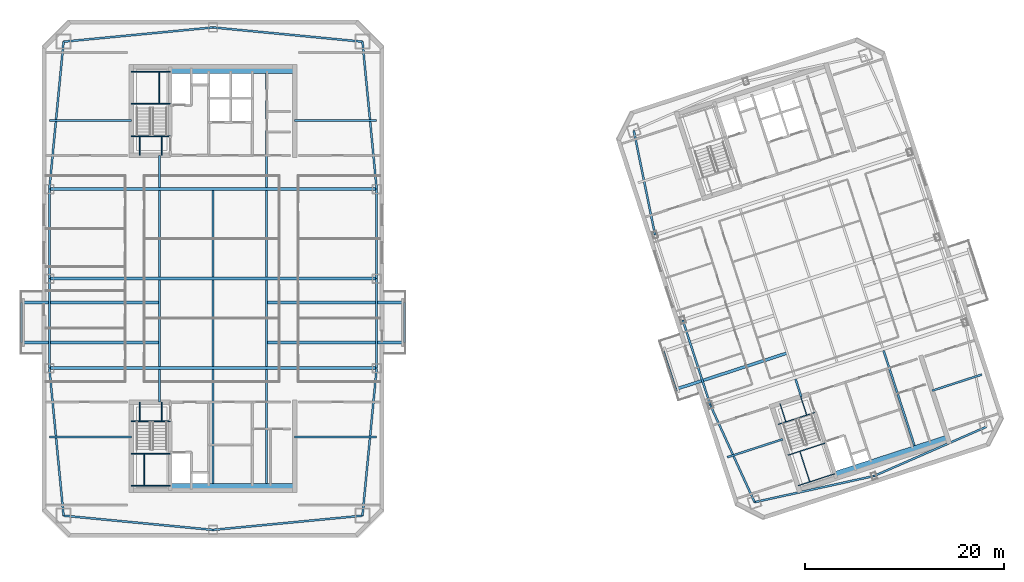
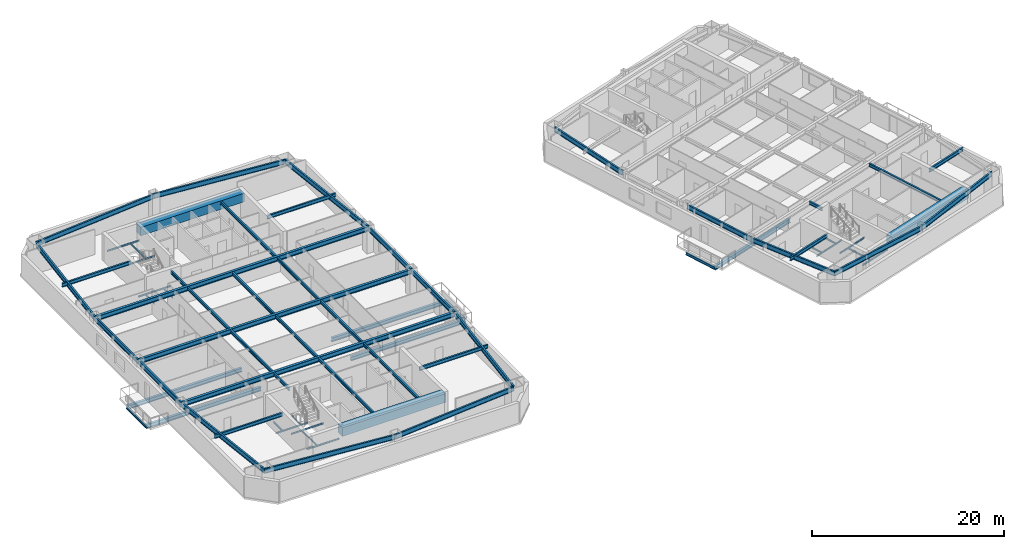
# One storey, part 3 of 15: 68 beams.
"""IFC4 building model written with IfcOpenShell, lengths in metres."""

from ifc_helpers import new_model, si_unit, direction, frame, origin, origin_2d, place, context, subcontext, project, spatial, rectangle, i_section, extrude, material, material_profile, profile_set, type_object, element, save


model = new_model("IFC4")

# Units and contexts
model_context = context("Model", 3, precision=1e-05, world=origin(), true_north=direction((0.0, 1.0)))
body_context = subcontext(model_context, "Body", "Model", "MODEL_VIEW")
ifc_project = project(units=[si_unit("LENGTHUNIT", "METRE"), si_unit("AREAUNIT", "SQUARE_METRE"), si_unit("VOLUMEUNIT", "CUBIC_METRE"), si_unit("PLANEANGLEUNIT", "RADIAN"), si_unit("MASSUNIT", "GRAM", prefix="KILO")], contexts=[model_context])

# Site, building, storey
site_placement = place(None, origin())
site = spatial("IfcSite", under=ifc_project, at=site_placement, CompositionType="ELEMENT")
building_placement = place(site_placement, origin())
building = spatial("IfcBuilding", under=site, at=building_placement, Name="Qiaolan Cultural Towers", CompositionType="ELEMENT")
storey_placement = place(building_placement, frame((0.0, 0.0, 209.300048828125)))
storey = spatial("IfcBuildingStorey", under=building, at=storey_placement, Name="L56", CompositionType="ELEMENT", Elevation=209.300048828125)

# Beams
ifc_material_1 = material(Name="Steel Q355B", Category="steel")
ifc_material_profile_1 = material_profile(ifc_material_1, i_section(OverallWidth=0.300048828125, OverallDepth=0.488037109375, WebThickness=0.010986328125, FlangeThickness=0.01806640625, at=origin_2d()), Name="HM488x300x11x18")
ifc_profile_set_1 = profile_set([ifc_material_profile_1], Name="Steel Q355B")
beam_type_1 = type_object("IfcBeamType", Name="BM-HM488x300x11x18", PredefinedType="BEAM", material=ifc_profile_set_1)
for number, where, z_axis, x_axis, name in (
    (1, (24.60009765625, 27.60009765625, -0.524169921875), (-1.0, 0.0, 0.0), (0.0, -1.0, 0.0), "L56 T1 Tree Balcony Back-Spanned Bracket Beam"),
    (2, (24.60009765625, 31.60009765625, -0.524169921875), (-1.0, 0.0, 0.0), (0.0, -1.0, 0.0), "L56 T1 Tree Balcony Back-Spanned Bracket Beam"),
    (3, (35.39990234375, 27.60009765625, -0.524169921875), (1.0, 0.0, 0.0), (0.0, 1.0, 0.0), "L56 T1 Tree Balcony Back-Spanned Bracket Beam"),
    (4, (35.39990234375, 31.60009765625, -0.524169921875), (1.0, 0.0, 0.0), (0.0, 1.0, 0.0), "L56 T1 Tree Balcony Back-Spanned Bracket Beam"),
):
    element("IfcBeam", number, at=place(storey_placement, frame(where, z_axis=z_axis, x_axis=x_axis)), inside=storey, type_object=beam_type_1, Name=name, PredefinedType="BEAM", context=body_context, shape_type="SweptSolid", body=[
        extrude(i_section(OverallWidth=0.300048828125, OverallDepth=0.488037109375, WebThickness=0.010986328125, FlangeThickness=0.01806640625, at=origin_2d()), origin(), (0.0, 0.0, 1.0), 13.85009765625),
    ])
beam_1_placement = place(storey_placement, frame((87.697998046875, 26.522705078125, -0.524169921875), z_axis=(-0.951053763838, -0.309025465439, 0.0), x_axis=(0.309025465439, -0.951053763838, 0.0)))
element("IfcBeam", 5, at=beam_1_placement, inside=storey, type_object=beam_type_1, Name="L56 T2 Tree Balcony Back-Spanned Bracket Beam", PredefinedType="BEAM", context=body_context, shape_type="SweptSolid", body=[
    extrude(i_section(OverallWidth=0.300048828125, OverallDepth=0.488037109375, WebThickness=0.010986328125, FlangeThickness=0.01806640625, at=origin_2d()), origin(), (0.0, 0.0, 1.0), 11.750244140625),
])
ifc_material_2 = material(Name="Steel Q355B", Category="steel")
ifc_material_profile_2 = material_profile(ifc_material_2, i_section(OverallWidth=0.300048828125, OverallDepth=0.587890625, WebThickness=0.011962890625, FlangeThickness=0.02001953125, at=origin_2d()), Name="HM588x300x12x20")
ifc_profile_set_2 = profile_set([ifc_material_profile_2], Name="Steel Q355B")
beam_type_2 = type_object("IfcBeamType", Name="BM-HM588x300x12x20", PredefinedType="BEAM", material=ifc_profile_set_2)
for number, where, z_axis, x_axis, name in (
    (6, (13.550048828125, 25.0, 2.89599609375), (1.0, 0.0, 0.0), (0.0, 1.0, 0.0), "L56 T1 Primary Transverse Girder V1"),
    (7, (13.550048828125, 34.0, 2.89599609375), (1.0, 0.0, 0.0), (0.0, 1.0, 0.0), "L56 T1 Primary Transverse Girder V2"),
    (8, (13.550048828125, 43.0, 2.89599609375), (1.0, 0.0, 0.0), (0.0, 1.0, 0.0), "L56 T1 Primary Transverse Girder V3"),
):
    element("IfcBeam", number, at=place(storey_placement, frame(where, z_axis=z_axis, x_axis=x_axis)), inside=storey, type_object=beam_type_2, Name=name, PredefinedType="BEAM", context=body_context, shape_type="SweptSolid", body=[
        extrude(i_section(OverallWidth=0.300048828125, OverallDepth=0.587890625, WebThickness=0.011962890625, FlangeThickness=0.02001953125, at=origin_2d()), origin(), (0.0, 0.0, 1.0), 32.89990234375),
    ])
ifc_material_3 = material(Name="Steel Q355B", Category="steel")
ifc_material_profile_3 = material_profile(ifc_material_3, i_section(OverallWidth=0.175048828125, OverallDepth=0.35009765625, WebThickness=0.007080078125, FlangeThickness=0.010986328125, at=origin_2d()), Name="HN350x175x7x11")
ifc_profile_set_3 = profile_set([ifc_material_profile_3], Name="Steel Q355B")
beam_type_3 = type_object("IfcBeamType", Name="BM-JST-HN350x175x7x11", PredefinedType="JOIST", material=ifc_profile_set_3)
for number, where, z_axis, x_axis, name in (
    (9, (10.75, 27.60009765625, -0.524169921875), (0.0, 1.0, 0.0), (-1.0, 0.0, 0.0), "L56 T1 Tree Balcony Outer Edge Beam"),
    (10, (49.25, 27.60009765625, -0.524169921875), (0.0, 1.0, 0.0), (-1.0, 0.0, 0.0), "L56 T1 Tree Balcony Outer Edge Beam"),
):
    element("IfcBeam", number, at=place(storey_placement, frame(where, z_axis=z_axis, x_axis=x_axis)), inside=storey, type_object=beam_type_3, Name=name, PredefinedType="JOIST", context=body_context, shape_type="SweptSolid", body=[
        extrude(i_section(OverallWidth=0.175048828125, OverallDepth=0.35009765625, WebThickness=0.007080078125, FlangeThickness=0.010986328125, at=origin_2d()), origin(), (0.0, 0.0, 1.0), 4.0),
    ])
beam_2_placement = place(storey_placement, frame((76.52294921875, 22.8916015625, -0.524169921875), z_axis=(-0.3090046493, 0.951060527364, 0.0), x_axis=(-0.951060527364, -0.3090046493, 0.0)))
element("IfcBeam", 11, at=beam_2_placement, inside=storey, type_object=beam_type_3, Name="L56 T2 Tree Balcony Outer Edge Beam", PredefinedType="JOIST", context=body_context, shape_type="SweptSolid", body=[
    extrude(i_section(OverallWidth=0.175048828125, OverallDepth=0.35009765625, WebThickness=0.007080078125, FlangeThickness=0.010986328125, at=origin_2d()), origin(), (0.0, 0.0, 1.0), 4.000244140625),
])
ifc_material_4 = material(Name="Steel Q355B", Category="steel")
ifc_material_profile_4 = material_profile(ifc_material_4, i_section(OverallWidth=0.199951171875, OverallDepth=0.39990234375, WebThickness=0.008056640625, FlangeThickness=0.012939453125, at=origin_2d()), Name="HN400x200x8x13")
ifc_profile_set_4 = profile_set([ifc_material_profile_4], Name="Steel Q355B")
beam_type_4 = type_object("IfcBeamType", Name="BM-JST-HN400x200x8x13", PredefinedType="JOIST", material=ifc_profile_set_4)
beam_3_placement = place(storey_placement, frame((24.60009765625, 21.60009765625, 2.989990234375), z_axis=(0.0, 1.0, 0.0), x_axis=(-1.0, 0.0, 0.0)))
element("IfcBeam", 12, at=beam_3_placement, inside=storey, type_object=beam_type_4, Name="L56 T1 Secondary Floor Joist U1-1", PredefinedType="JOIST", context=body_context, shape_type="SweptSolid", body=[
    extrude(i_section(OverallWidth=0.199951171875, OverallDepth=0.39990234375, WebThickness=0.008056640625, FlangeThickness=0.012939453125, at=origin_2d()), origin(), (0.0, 0.0, 1.0), 3.25),
])
for number, where, z_axis, x_axis, name in (
    (13, (24.60009765625, 25.14990234375, 2.989990234375), (0.0, 1.0, 0.0), (-1.0, 0.0, 0.0), "L56 T1 Secondary Floor Joist U1-2"),
    (14, (24.60009765625, 34.14990234375, 2.989990234375), (0.0, 1.0, 0.0), (-1.0, 0.0, 0.0), "L56 T1 Secondary Floor Joist U1-3"),
):
    element("IfcBeam", number, at=place(storey_placement, frame(where, z_axis=z_axis, x_axis=x_axis)), inside=storey, type_object=beam_type_4, Name=name, PredefinedType="JOIST", context=body_context, shape_type="SweptSolid", body=[
        extrude(i_section(OverallWidth=0.199951171875, OverallDepth=0.39990234375, WebThickness=0.008056640625, FlangeThickness=0.012939453125, at=origin_2d()), origin(), (0.0, 0.0, 1.0), 8.7001953125),
    ])
beam_4_placement = place(storey_placement, frame((24.60009765625, 43.14990234375, 2.989990234375), z_axis=(0.0, 1.0, 0.0), x_axis=(-1.0, 0.0, 0.0)))
element("IfcBeam", 15, at=beam_4_placement, inside=storey, type_object=beam_type_4, Name="L56 T1 Secondary Floor Joist U1-4", PredefinedType="JOIST", context=body_context, shape_type="SweptSolid", body=[
    extrude(i_section(OverallWidth=0.199951171875, OverallDepth=0.39990234375, WebThickness=0.008056640625, FlangeThickness=0.012939453125, at=origin_2d()), origin(), (0.0, 0.0, 1.0), 3.25),
])
beam_5_placement = place(storey_placement, frame((30.0, 13.39990234375, 2.989990234375), z_axis=(0.0, 1.0, 0.0), x_axis=(-1.0, 0.0, 0.0)))
element("IfcBeam", 16, at=beam_5_placement, inside=storey, type_object=beam_type_4, Name="L56 T1 Secondary Floor Joist U2-1", PredefinedType="JOIST", context=body_context, shape_type="SweptSolid", body=[
    extrude(i_section(OverallWidth=0.199951171875, OverallDepth=0.39990234375, WebThickness=0.008056640625, FlangeThickness=0.012939453125, at=origin_2d()), origin(), (0.0, 0.0, 1.0), 11.4501953125),
])
for number, where, z_axis, x_axis, name in (
    (17, (30.0, 25.14990234375, 2.989990234375), (0.0, 1.0, 0.0), (-1.0, 0.0, 0.0), "L56 T1 Secondary Floor Joist U2-2"),
    (18, (30.0, 34.14990234375, 2.989990234375), (0.0, 1.0, 0.0), (-1.0, 0.0, 0.0), "L56 T1 Secondary Floor Joist U2-3"),
):
    element("IfcBeam", number, at=place(storey_placement, frame(where, z_axis=z_axis, x_axis=x_axis)), inside=storey, type_object=beam_type_4, Name=name, PredefinedType="JOIST", context=body_context, shape_type="SweptSolid", body=[
        extrude(i_section(OverallWidth=0.199951171875, OverallDepth=0.39990234375, WebThickness=0.008056640625, FlangeThickness=0.012939453125, at=origin_2d()), origin(), (0.0, 0.0, 1.0), 8.7001953125),
    ])
beam_6_placement = place(storey_placement, frame((35.39990234375, 13.39990234375, 2.989990234375), z_axis=(0.0, 1.0, 0.0), x_axis=(-1.0, 0.0, 0.0)))
element("IfcBeam", 19, at=beam_6_placement, inside=storey, type_object=beam_type_4, Name="L56 T1 Secondary Floor Joist U3-1", PredefinedType="JOIST", context=body_context, shape_type="SweptSolid", body=[
    extrude(i_section(OverallWidth=0.199951171875, OverallDepth=0.39990234375, WebThickness=0.008056640625, FlangeThickness=0.012939453125, at=origin_2d()), origin(), (0.0, 0.0, 1.0), 11.4501953125),
])
for number, where, z_axis, x_axis, name in (
    (20, (35.39990234375, 25.14990234375, 2.989990234375), (0.0, 1.0, 0.0), (-1.0, 0.0, 0.0), "L56 T1 Secondary Floor Joist U3-2"),
    (21, (35.39990234375, 34.14990234375, 2.989990234375), (0.0, 1.0, 0.0), (-1.0, 0.0, 0.0), "L56 T1 Secondary Floor Joist U3-3"),
):
    element("IfcBeam", number, at=place(storey_placement, frame(where, z_axis=z_axis, x_axis=x_axis)), inside=storey, type_object=beam_type_4, Name=name, PredefinedType="JOIST", context=body_context, shape_type="SweptSolid", body=[
        extrude(i_section(OverallWidth=0.199951171875, OverallDepth=0.39990234375, WebThickness=0.008056640625, FlangeThickness=0.012939453125, at=origin_2d()), origin(), (0.0, 0.0, 1.0), 8.7001953125),
    ])
beam_7_placement = place(storey_placement, frame((35.39990234375, 43.14990234375, 2.989990234375), z_axis=(0.0, 1.0, 0.0), x_axis=(-1.0, 0.0, 0.0)))
element("IfcBeam", 22, at=beam_7_placement, inside=storey, type_object=beam_type_4, Name="L56 T1 Secondary Floor Joist U3-4", PredefinedType="JOIST", context=body_context, shape_type="SweptSolid", body=[
    extrude(i_section(OverallWidth=0.199951171875, OverallDepth=0.39990234375, WebThickness=0.008056640625, FlangeThickness=0.012939453125, at=origin_2d()), origin(), (0.0, 0.0, 1.0), 11.4501953125),
])
beam_8_placement = place(storey_placement, frame((89.119384765625, 22.147705078125, 2.989990234375), z_axis=(-0.308933885266, 0.951083516067, 0.0), x_axis=(-0.951083516067, -0.308933885266, 0.0)))
element("IfcBeam", 23, at=beam_8_placement, inside=storey, type_object=beam_type_4, Name="L56 T2 Secondary Floor Joist U1-1", PredefinedType="JOIST", context=body_context, shape_type="SweptSolid", body=[
    extrude(i_section(OverallWidth=0.199951171875, OverallDepth=0.39990234375, WebThickness=0.008056640625, FlangeThickness=0.012939453125, at=origin_2d()), origin(), (0.0, 0.0, 1.0), 1.85009765625),
])
beam_9_placement = place(storey_placement, frame((100.498291015625, 17.222900390625, 2.989990234375), z_axis=(-0.309025649293, 0.951053704098, 0.0), x_axis=(-0.951053704098, -0.309025649293, 0.0)))
element("IfcBeam", 24, at=beam_9_placement, inside=storey, type_object=beam_type_4, Name="L56 T2 Secondary Floor Joist U3-1", PredefinedType="JOIST", context=body_context, shape_type="SweptSolid", body=[
    extrude(i_section(OverallWidth=0.199951171875, OverallDepth=0.39990234375, WebThickness=0.008056640625, FlangeThickness=0.012939453125, at=origin_2d()), origin(), (0.0, 0.0, 1.0), 10.050048828125),
])
ifc_material_5 = material(Name="Steel Q355B", Category="steel")
ifc_material_profile_5 = material_profile(ifc_material_5, i_section(OverallWidth=0.199951171875, OverallDepth=0.449951171875, WebThickness=0.009033203125, FlangeThickness=0.013916015625, at=origin_2d()), Name="HN450x200x9x14")
ifc_profile_set_5 = profile_set([ifc_material_profile_5], Name="Steel Q355B")
beam_type_5 = type_object("IfcBeamType", Name="BM-LNT-HN450x200x9x14", PredefinedType="LINTEL", material=ifc_profile_set_5)
for number, where, z_axis, x_axis, name in (
    (25, (21.800048828125, 18.10009765625, 2.96484375), (-1.0, 0.0, 0.0), (0.0, -1.0, 0.0), "L56 T1 Core Flank Tie Lintel WS"),
    (26, (21.800048828125, 49.89990234375, 2.96484375), (-1.0, 0.0, 0.0), (0.0, -1.0, 0.0), "L56 T1 Core Flank Tie Lintel WN"),
    (27, (38.199951171875, 18.10009765625, 2.96484375), (1.0, 0.0, 0.0), (0.0, 1.0, 0.0), "L56 T1 Core Flank Tie Lintel ES"),
    (28, (38.199951171875, 49.89990234375, 2.96484375), (1.0, 0.0, 0.0), (0.0, 1.0, 0.0), "L56 T1 Core Flank Tie Lintel EN"),
):
    element("IfcBeam", number, at=place(storey_placement, frame(where, z_axis=z_axis, x_axis=x_axis)), inside=storey, type_object=beam_type_5, Name=name, PredefinedType="LINTEL", context=body_context, shape_type="SweptSolid", body=[
        extrude(i_section(OverallWidth=0.199951171875, OverallDepth=0.449951171875, WebThickness=0.009033203125, FlangeThickness=0.013916015625, at=origin_2d()), origin(), (0.0, 0.0, 1.0), 8.25),
    ])
beam_10_placement = place(storey_placement, frame((87.252685546875, 17.861083984375, 2.96484375), z_axis=(-0.951063813276, -0.308994535675, 0.0), x_axis=(0.308994535675, -0.951063813276, 0.0)))
element("IfcBeam", 29, at=beam_10_placement, inside=storey, type_object=beam_type_5, Name="L56 T2 Core Flank Tie Lintel WS", PredefinedType="LINTEL", context=body_context, shape_type="SweptSolid", body=[
    extrude(i_section(OverallWidth=0.199951171875, OverallDepth=0.449951171875, WebThickness=0.009033203125, FlangeThickness=0.013916015625, at=origin_2d()), origin(), (0.0, 0.0, 1.0), 5.85009765625),
])
beam_11_placement = place(storey_placement, frame((102.279296875, 22.74365234375, 2.96484375), z_axis=(0.951060037126, 0.309006158161, 0.0), x_axis=(-0.309006158161, 0.951060037126, 0.0)))
element("IfcBeam", 30, at=beam_11_placement, inside=storey, type_object=beam_type_5, Name="L56 T2 Core Flank Tie Lintel ES", PredefinedType="LINTEL", context=body_context, shape_type="SweptSolid", body=[
    extrude(i_section(OverallWidth=0.199951171875, OverallDepth=0.449951171875, WebThickness=0.009033203125, FlangeThickness=0.013916015625, at=origin_2d()), origin(), (0.0, 0.0, 1.0), 5.25),
])
ifc_material_6 = material(Name="Concrete C50", Category="concrete")
ifc_material_profile_6 = material_profile(ifc_material_6, rectangle(XDim=0.89990234375, YDim=1.10009765625, at=origin_2d()), Name="RC900x1100")
ifc_profile_set_6 = profile_set([ifc_material_profile_6], Name="Concrete C50")
beam_type_6 = type_object("IfcBeamType", Name="BM-RC900x1100", PredefinedType="BEAM", material=ifc_profile_set_6)
for number, where, z_axis, x_axis, name in (
    (31, (25.719970703125, 12.949951171875, 2.639892578125), (1.0, 0.0, 0.0), (0.0, 1.0, 0.0), "L56 T1 Core Header Girder S"),
    (32, (25.719970703125, 55.050048828125, 2.639892578125), (1.0, 0.0, 0.0), (0.0, 1.0, 0.0), "L56 T1 Core Header Girder N"),
):
    element("IfcBeam", number, at=place(storey_placement, frame(where, z_axis=z_axis, x_axis=x_axis)), inside=storey, type_object=beam_type_6, Name=name, PredefinedType="BEAM", context=body_context, shape_type="SweptSolid", body=[
        extrude(rectangle(XDim=0.89990234375, YDim=1.10009765625, at=origin_2d()), origin(), (0.0, 0.0, 1.0), 12.47998046875),
    ])
beam_12_placement = place(storey_placement, frame((92.572265625, 14.174560546875, 2.639892578125), z_axis=(0.951056266386, 0.309017763514, 0.0), x_axis=(-0.309017763514, 0.951056266386, 0.0)))
element("IfcBeam", 33, at=beam_12_placement, inside=storey, type_object=beam_type_6, Name="L56 T2 Core Header Girder S", PredefinedType="BEAM", context=body_context, shape_type="SweptSolid", body=[
    extrude(rectangle(XDim=0.89990234375, YDim=1.10009765625, at=origin_2d()), origin(), (0.0, 0.0, 1.0), 11.880126953125),
])
ifc_material_7 = material(Name="Steel Q355B", Category="steel")
ifc_material_profile_7 = material_profile(ifc_material_7, i_section(OverallWidth=0.199951171875, OverallDepth=0.60009765625, WebThickness=0.010986328125, FlangeThickness=0.01708984375, at=origin_2d()), Name="HN600x200x11x17")
ifc_profile_set_7 = profile_set([ifc_material_profile_7], Name="Steel Q355B")
beam_type_7 = type_object("IfcBeamType", Name="BM-SPD-HN600x200x11x17", PredefinedType="SPANDREL", material=ifc_profile_set_7)
for number, where, z_axis, x_axis, name in (
    (34, (14.97998046875, 10.179931640625, 2.889892578125), (0.995498889995, -0.094773203061, 0.0), (0.094773203061, 0.995498889995, 0.0), "L56 T1 Perimeter Spandrel Beam 1"),
    (35, (30.0, 8.75, 2.889892578125), (0.995498889995, 0.094773203061, 0.0), (-0.094773203061, 0.995498889995, 0.0), "L56 T1 Perimeter Spandrel Beam 2"),
):
    element("IfcBeam", number, at=place(storey_placement, frame(where, z_axis=z_axis, x_axis=x_axis)), inside=storey, type_object=beam_type_7, Name=name, PredefinedType="SPANDREL", context=body_context, shape_type="SweptSolid", body=[
        extrude(i_section(OverallWidth=0.199951171875, OverallDepth=0.60009765625, WebThickness=0.010986328125, FlangeThickness=0.01708984375, at=origin_2d()), origin(), (0.0, 0.0, 1.0), 15.087890625),
    ])
beam_13_placement = place(storey_placement, frame((45.02001953125, 10.179931640625, 2.889892578125), z_axis=(0.096040159186, 0.995377459974, 0.0), x_axis=(-0.995377459974, 0.096040159186, 0.0)))
element("IfcBeam", 36, at=beam_13_placement, inside=storey, type_object=beam_type_7, Name="L56 T1 Perimeter Spandrel Beam 3", PredefinedType="SPANDREL", context=body_context, shape_type="SweptSolid", body=[
    extrude(i_section(OverallWidth=0.199951171875, OverallDepth=0.60009765625, WebThickness=0.010986328125, FlangeThickness=0.01708984375, at=origin_2d()), origin(), (0.0, 0.0, 1.0), 14.888916015625),
])
for number, where, z_axis, x_axis, name in (
    (37, (46.449951171875, 25.0, 2.889892578125), (0.0, 1.0, 0.0), (-1.0, 0.0, 0.0), "L56 T1 Perimeter Spandrel Beam 4"),
    (38, (46.449951171875, 34.0, 2.889892578125), (0.0, 1.0, 0.0), (-1.0, 0.0, 0.0), "L56 T1 Perimeter Spandrel Beam 5"),
):
    element("IfcBeam", number, at=place(storey_placement, frame(where, z_axis=z_axis, x_axis=x_axis)), inside=storey, type_object=beam_type_7, Name=name, PredefinedType="SPANDREL", context=body_context, shape_type="SweptSolid", body=[
        extrude(i_section(OverallWidth=0.199951171875, OverallDepth=0.60009765625, WebThickness=0.010986328125, FlangeThickness=0.01708984375, at=origin_2d()), origin(), (0.0, 0.0, 1.0), 9.0),
    ])
beam_14_placement = place(storey_placement, frame((46.449951171875, 43.0, 2.889892578125), z_axis=(-0.096040159186, 0.995377459974, 0.0), x_axis=(-0.995377459974, -0.096040159186, 0.0)))
element("IfcBeam", 39, at=beam_14_placement, inside=storey, type_object=beam_type_7, Name="L56 T1 Perimeter Spandrel Beam 6", PredefinedType="SPANDREL", context=body_context, shape_type="SweptSolid", body=[
    extrude(i_section(OverallWidth=0.199951171875, OverallDepth=0.60009765625, WebThickness=0.010986328125, FlangeThickness=0.01708984375, at=origin_2d()), origin(), (0.0, 0.0, 1.0), 14.888916015625),
])
for number, where, z_axis, x_axis, name in (
    (40, (45.02001953125, 57.820068359375, 2.889892578125), (-0.995498889995, 0.094773203061, 0.0), (-0.094773203061, -0.995498889995, 0.0), "L56 T1 Perimeter Spandrel Beam 7"),
    (41, (30.0, 59.25, 2.889892578125), (-0.995498889995, -0.094773203061, 0.0), (0.094773203061, -0.995498889995, 0.0), "L56 T1 Perimeter Spandrel Beam 8"),
):
    element("IfcBeam", number, at=place(storey_placement, frame(where, z_axis=z_axis, x_axis=x_axis)), inside=storey, type_object=beam_type_7, Name=name, PredefinedType="SPANDREL", context=body_context, shape_type="SweptSolid", body=[
        extrude(i_section(OverallWidth=0.199951171875, OverallDepth=0.60009765625, WebThickness=0.010986328125, FlangeThickness=0.01708984375, at=origin_2d()), origin(), (0.0, 0.0, 1.0), 15.087890625),
    ])
beam_15_placement = place(storey_placement, frame((14.97998046875, 57.820068359375, 2.889892578125), z_axis=(-0.096040159186, -0.995377459974, 0.0), x_axis=(0.995377459974, -0.096040159186, 0.0)))
element("IfcBeam", 42, at=beam_15_placement, inside=storey, type_object=beam_type_7, Name="L56 T1 Perimeter Spandrel Beam 9", PredefinedType="SPANDREL", context=body_context, shape_type="SweptSolid", body=[
    extrude(i_section(OverallWidth=0.199951171875, OverallDepth=0.60009765625, WebThickness=0.010986328125, FlangeThickness=0.01708984375, at=origin_2d()), origin(), (0.0, 0.0, 1.0), 14.888916015625),
])
for number, where, z_axis, x_axis, name in (
    (43, (13.550048828125, 43.0, 2.889892578125), (0.0, -1.0, 0.0), (1.0, 0.0, 0.0), "L56 T1 Perimeter Spandrel Beam 10"),
    (44, (13.550048828125, 34.0, 2.889892578125), (0.0, -1.0, 0.0), (1.0, 0.0, 0.0), "L56 T1 Perimeter Spandrel Beam 11"),
):
    element("IfcBeam", number, at=place(storey_placement, frame(where, z_axis=z_axis, x_axis=x_axis)), inside=storey, type_object=beam_type_7, Name=name, PredefinedType="SPANDREL", context=body_context, shape_type="SweptSolid", body=[
        extrude(i_section(OverallWidth=0.199951171875, OverallDepth=0.60009765625, WebThickness=0.010986328125, FlangeThickness=0.01708984375, at=origin_2d()), origin(), (0.0, 0.0, 1.0), 9.0),
    ])
beam_16_placement = place(storey_placement, frame((13.550048828125, 25.0, 2.889892578125), z_axis=(0.096040159186, -0.995377459974, 0.0), x_axis=(0.995377459974, 0.096040159186, 0.0)))
element("IfcBeam", 45, at=beam_16_placement, inside=storey, type_object=beam_type_7, Name="L56 T1 Perimeter Spandrel Beam 12", PredefinedType="SPANDREL", context=body_context, shape_type="SweptSolid", body=[
    extrude(i_section(OverallWidth=0.199951171875, OverallDepth=0.60009765625, WebThickness=0.010986328125, FlangeThickness=0.01708984375, at=origin_2d()), origin(), (0.0, 0.0, 1.0), 14.888916015625),
])
beam_17_placement = place(storey_placement, frame((84.42822265625, 11.538818359375, 2.889892578125), z_axis=(0.976843395078, 0.213955559619, 0.0), x_axis=(-0.213955559619, 0.976843395078, 0.0)))
element("IfcBeam", 46, at=beam_17_placement, inside=storey, type_object=beam_type_7, Name="L56 T2 Perimeter Spandrel Beam 1", PredefinedType="SPANDREL", context=body_context, shape_type="SweptSolid", body=[
    extrude(i_section(OverallWidth=0.199951171875, OverallDepth=0.60009765625, WebThickness=0.010986328125, FlangeThickness=0.01708984375, at=origin_2d()), origin(), (0.0, 0.0, 1.0), 12.2998046875),
])
beam_18_placement = place(storey_placement, frame((96.443115234375, 14.17041015625, 2.889892578125), z_axis=(0.916042038824, 0.401082264762, 0.0), x_axis=(-0.401082264762, 0.916042038824, 0.0)))
element("IfcBeam", 47, at=beam_18_placement, inside=storey, type_object=beam_type_7, Name="L56 T2 Perimeter Spandrel Beam 2", PredefinedType="SPANDREL", context=body_context, shape_type="SweptSolid", body=[
    extrude(i_section(OverallWidth=0.199951171875, OverallDepth=0.60009765625, WebThickness=0.010986328125, FlangeThickness=0.01708984375, at=origin_2d()), origin(), (0.0, 0.0, 1.0), 12.299560546875),
])
beam_19_placement = place(storey_placement, frame((72.2900390625, 48.896484375, 2.889892578125), z_axis=(0.199578538116, -0.979881833245, 0.0), x_axis=(0.979881833245, 0.199578538116, 0.0)))
element("IfcBeam", 48, at=beam_19_placement, inside=storey, type_object=beam_type_7, Name="L56 T2 Perimeter Spandrel Beam 9", PredefinedType="SPANDREL", context=body_context, shape_type="SweptSolid", body=[
    extrude(i_section(OverallWidth=0.199951171875, OverallDepth=0.60009765625, WebThickness=0.010986328125, FlangeThickness=0.01708984375, at=origin_2d()), origin(), (0.0, 0.0, 1.0), 10.70849609375),
])
beam_20_placement = place(storey_placement, frame((77.208251953125, 29.84375, 2.889892578125), z_axis=(0.309024734286, -0.951054001411, 0.0), x_axis=(0.951054001411, 0.309024734286, 0.0)))
element("IfcBeam", 49, at=beam_20_placement, inside=storey, type_object=beam_type_7, Name="L56 T2 Perimeter Spandrel Beam 11", PredefinedType="SPANDREL", context=body_context, shape_type="SweptSolid", body=[
    extrude(i_section(OverallWidth=0.199951171875, OverallDepth=0.60009765625, WebThickness=0.010986328125, FlangeThickness=0.01708984375, at=origin_2d()), origin(), (0.0, 0.0, 1.0), 9.0),
])
beam_21_placement = place(storey_placement, frame((79.989501953125, 21.2841796875, 2.889892578125), z_axis=(0.414500208282, -0.910049216985, 0.0), x_axis=(0.910049216985, 0.414500208282, 0.0)))
element("IfcBeam", 50, at=beam_21_placement, inside=storey, type_object=beam_type_7, Name="L56 T2 Perimeter Spandrel Beam 12", PredefinedType="SPANDREL", context=body_context, shape_type="SweptSolid", body=[
    extrude(i_section(OverallWidth=0.199951171875, OverallDepth=0.60009765625, WebThickness=0.010986328125, FlangeThickness=0.01708984375, at=origin_2d()), origin(), (0.0, 0.0, 1.0), 10.70849609375),
])
ifc_material_8 = material(Name="Steel Q355B", Category="steel")
ifc_material_profile_8 = material_profile(ifc_material_8, i_section(OverallWidth=0.10009765625, OverallDepth=0.199951171875, WebThickness=0.005615234375, FlangeThickness=0.008056640625, at=origin_2d()), Name="HN200x100x5.5x8")
ifc_profile_set_8 = profile_set([ifc_material_profile_8], Name="Steel Q355B")
beam_type_8 = type_object("IfcBeamType", Name="BM-STTRIM-200", PredefinedType="BEAM", material=ifc_profile_set_8)
beam_22_placement = place(storey_placement, frame((21.800048828125, 19.659912109375, -0.4599609375), z_axis=(1.0, 0.0, 0.0), x_axis=(0.0, 1.0, 0.0)))
element("IfcBeam", 51, at=beam_22_placement, inside=storey, type_object=beam_type_8, Name="L56 ST-W1 Floor Landing Header Beam", PredefinedType="BEAM", context=body_context, shape_type="SweptSolid", body=[
    extrude(i_section(OverallWidth=0.10009765625, OverallDepth=0.199951171875, WebThickness=0.005615234375, FlangeThickness=0.008056640625, at=origin_2d()), origin(), (0.0, 0.0, 1.0), 3.919921875),
])
for number, where, z_axis, x_axis, name in (
    (52, (22.64990234375, 21.60009765625, -0.4599609375), (0.0, -1.0, 0.0), (1.0, 0.0, 0.0), "L56 ST-W1 Floor Landing Stringer 1"),
    (53, (24.85009765625, 21.60009765625, -0.4599609375), (0.0, -1.0, 0.0), (1.0, 0.0, 0.0), "L56 ST-W1 Floor Landing Stringer 2"),
):
    element("IfcBeam", number, at=place(storey_placement, frame(where, z_axis=z_axis, x_axis=x_axis)), inside=storey, type_object=beam_type_8, Name=name, PredefinedType="BEAM", context=body_context, shape_type="SweptSolid", body=[
        extrude(i_section(OverallWidth=0.10009765625, OverallDepth=0.199951171875, WebThickness=0.005615234375, FlangeThickness=0.008056640625, at=origin_2d()), origin(), (0.0, 0.0, 1.0), 1.940185546875),
    ])
for number, where, z_axis, x_axis, name in (
    (54, (21.800048828125, 16.411376953125, 1.425048828125), (1.0, 0.0, 0.0), (0.0, 1.0, 0.0), "L56 ST-W1 Stair Landing Support Beam 1-1"),
    (55, (21.800048828125, 13.179931640625, 1.425048828125), (1.0, 0.0, 0.0), (0.0, 1.0, 0.0), "L56 ST-W1 Stair Landing Support Beam 1-2"),
):
    element("IfcBeam", number, at=place(storey_placement, frame(where, z_axis=z_axis, x_axis=x_axis)), inside=storey, type_object=beam_type_8, Name=name, PredefinedType="BEAM", context=body_context, shape_type="SweptSolid", body=[
        extrude(i_section(OverallWidth=0.10009765625, OverallDepth=0.199951171875, WebThickness=0.005615234375, FlangeThickness=0.008056640625, at=origin_2d()), origin(), (0.0, 0.0, 1.0), 3.919921875),
    ])
beam_23_placement = place(storey_placement, frame((23.070068359375, 16.411376953125, 1.425048828125), z_axis=(0.0, -1.0, 0.0), x_axis=(1.0, 0.0, 0.0)))
element("IfcBeam", 56, at=beam_23_placement, inside=storey, type_object=beam_type_8, Name="L56 ST-W1 Stair Landing Trimmer 1", PredefinedType="BEAM", context=body_context, shape_type="SweptSolid", body=[
    extrude(i_section(OverallWidth=0.10009765625, OverallDepth=0.199951171875, WebThickness=0.005615234375, FlangeThickness=0.008056640625, at=origin_2d()), origin(), (0.0, 0.0, 1.0), 3.2314453125),
])
beam_24_placement = place(storey_placement, frame((21.800048828125, 48.340087890625, -0.4599609375), z_axis=(1.0, 0.0, 0.0), x_axis=(0.0, 1.0, 0.0)))
element("IfcBeam", 57, at=beam_24_placement, inside=storey, type_object=beam_type_8, Name="L56 ST-W2 Floor Landing Header Beam", PredefinedType="BEAM", context=body_context, shape_type="SweptSolid", body=[
    extrude(i_section(OverallWidth=0.10009765625, OverallDepth=0.199951171875, WebThickness=0.005615234375, FlangeThickness=0.008056640625, at=origin_2d()), origin(), (0.0, 0.0, 1.0), 3.919921875),
])
for number, where, z_axis, x_axis, name in (
    (58, (22.64990234375, 46.39990234375, -0.4599609375), (0.0, 1.0, 0.0), (-1.0, 0.0, 0.0), "L56 ST-W2 Floor Landing Stringer 1"),
    (59, (24.85009765625, 46.39990234375, -0.4599609375), (0.0, 1.0, 0.0), (-1.0, 0.0, 0.0), "L56 ST-W2 Floor Landing Stringer 2"),
):
    element("IfcBeam", number, at=place(storey_placement, frame(where, z_axis=z_axis, x_axis=x_axis)), inside=storey, type_object=beam_type_8, Name=name, PredefinedType="BEAM", context=body_context, shape_type="SweptSolid", body=[
        extrude(i_section(OverallWidth=0.10009765625, OverallDepth=0.199951171875, WebThickness=0.005615234375, FlangeThickness=0.008056640625, at=origin_2d()), origin(), (0.0, 0.0, 1.0), 1.940185546875),
    ])
for number, where, z_axis, x_axis, name in (
    (60, (21.800048828125, 51.588623046875, 1.425048828125), (1.0, 0.0, 0.0), (0.0, 1.0, 0.0), "L56 ST-W2 Stair Landing Support Beam 1-1"),
    (61, (21.800048828125, 54.820068359375, 1.425048828125), (1.0, 0.0, 0.0), (0.0, 1.0, 0.0), "L56 ST-W2 Stair Landing Support Beam 1-2"),
):
    element("IfcBeam", number, at=place(storey_placement, frame(where, z_axis=z_axis, x_axis=x_axis)), inside=storey, type_object=beam_type_8, Name=name, PredefinedType="BEAM", context=body_context, shape_type="SweptSolid", body=[
        extrude(i_section(OverallWidth=0.10009765625, OverallDepth=0.199951171875, WebThickness=0.005615234375, FlangeThickness=0.008056640625, at=origin_2d()), origin(), (0.0, 0.0, 1.0), 3.919921875),
    ])
beam_25_placement = place(storey_placement, frame((24.610107421875, 51.588623046875, 1.425048828125), z_axis=(0.0, 1.0, 0.0), x_axis=(-1.0, 0.0, 0.0)))
element("IfcBeam", 62, at=beam_25_placement, inside=storey, type_object=beam_type_8, Name="L56 ST-W2 Stair Landing Trimmer 1", PredefinedType="BEAM", context=body_context, shape_type="SweptSolid", body=[
    extrude(i_section(OverallWidth=0.10009765625, OverallDepth=0.199951171875, WebThickness=0.005615234375, FlangeThickness=0.008056640625, at=origin_2d()), origin(), (0.0, 0.0, 1.0), 3.2314453125),
])
beam_26_placement = place(storey_placement, frame((86.770751953125, 19.3447265625, -0.4599609375), z_axis=(0.951047798727, 0.309043823005, 0.0), x_axis=(-0.309043823005, 0.951047798727, 0.0)))
element("IfcBeam", 63, at=beam_26_placement, inside=storey, type_object=beam_type_8, Name="L56 ST-E1 Floor Landing Header Beam", PredefinedType="BEAM", context=body_context, shape_type="SweptSolid", body=[
    extrude(i_section(OverallWidth=0.10009765625, OverallDepth=0.199951171875, WebThickness=0.005615234375, FlangeThickness=0.008056640625, at=origin_2d()), origin(), (0.0, 0.0, 1.0), 3.919921875),
])
for number, where, z_axis, x_axis, name in (
    (64, (86.9794921875, 21.452392578125, -0.4599609375), (0.309083226701, -0.951034993558, 0.0), (0.951034993558, 0.309083226701, 0.0), "L56 ST-E1 Floor Landing Stringer 1"),
    (65, (89.07177734375, 22.13232421875, -0.4599609375), (0.309083226701, -0.951034993558, 0.0), (0.951034993558, 0.309083226701, 0.0), "L56 ST-E1 Floor Landing Stringer 2"),
):
    element("IfcBeam", number, at=place(storey_placement, frame(where, z_axis=z_axis, x_axis=x_axis)), inside=storey, type_object=beam_type_8, Name=name, PredefinedType="BEAM", context=body_context, shape_type="SweptSolid", body=[
        extrude(i_section(OverallWidth=0.10009765625, OverallDepth=0.199951171875, WebThickness=0.005615234375, FlangeThickness=0.008056640625, at=origin_2d()), origin(), (0.0, 0.0, 1.0), 1.93994140625),
    ])
for number, where, z_axis, x_axis, name in (
    (66, (87.774658203125, 16.255126953125, 1.425048828125), (0.951047798727, 0.309043823005, 0.0), (-0.309043823005, 0.951047798727, 0.0), "L56 ST-E1 Stair Landing Support Beam 1-1"),
    (67, (88.773193359375, 13.181884765625, 1.425048828125), (0.951047798727, 0.309043823005, 0.0), (-0.309043823005, 0.951047798727, 0.0), "L56 ST-E1 Stair Landing Support Beam 1-2"),
):
    element("IfcBeam", number, at=place(storey_placement, frame(where, z_axis=z_axis, x_axis=x_axis)), inside=storey, type_object=beam_type_8, Name=name, PredefinedType="BEAM", context=body_context, shape_type="SweptSolid", body=[
        extrude(i_section(OverallWidth=0.10009765625, OverallDepth=0.199951171875, WebThickness=0.005615234375, FlangeThickness=0.008056640625, at=origin_2d()), origin(), (0.0, 0.0, 1.0), 3.919921875),
    ])
beam_27_placement = place(storey_placement, frame((88.982421875, 16.6474609375, 1.425048828125), z_axis=(0.309033108495, -0.951051280349, 0.0), x_axis=(0.951051280349, 0.309033108495, 0.0)))
element("IfcBeam", 68, at=beam_27_placement, inside=storey, type_object=beam_type_8, Name="L56 ST-E1 Stair Landing Trimmer 1", PredefinedType="BEAM", context=body_context, shape_type="SweptSolid", body=[
    extrude(i_section(OverallWidth=0.10009765625, OverallDepth=0.199951171875, WebThickness=0.005615234375, FlangeThickness=0.008056640625, at=origin_2d()), origin(), (0.0, 0.0, 1.0), 3.231201171875),
])

save(model, "model.ifc")
